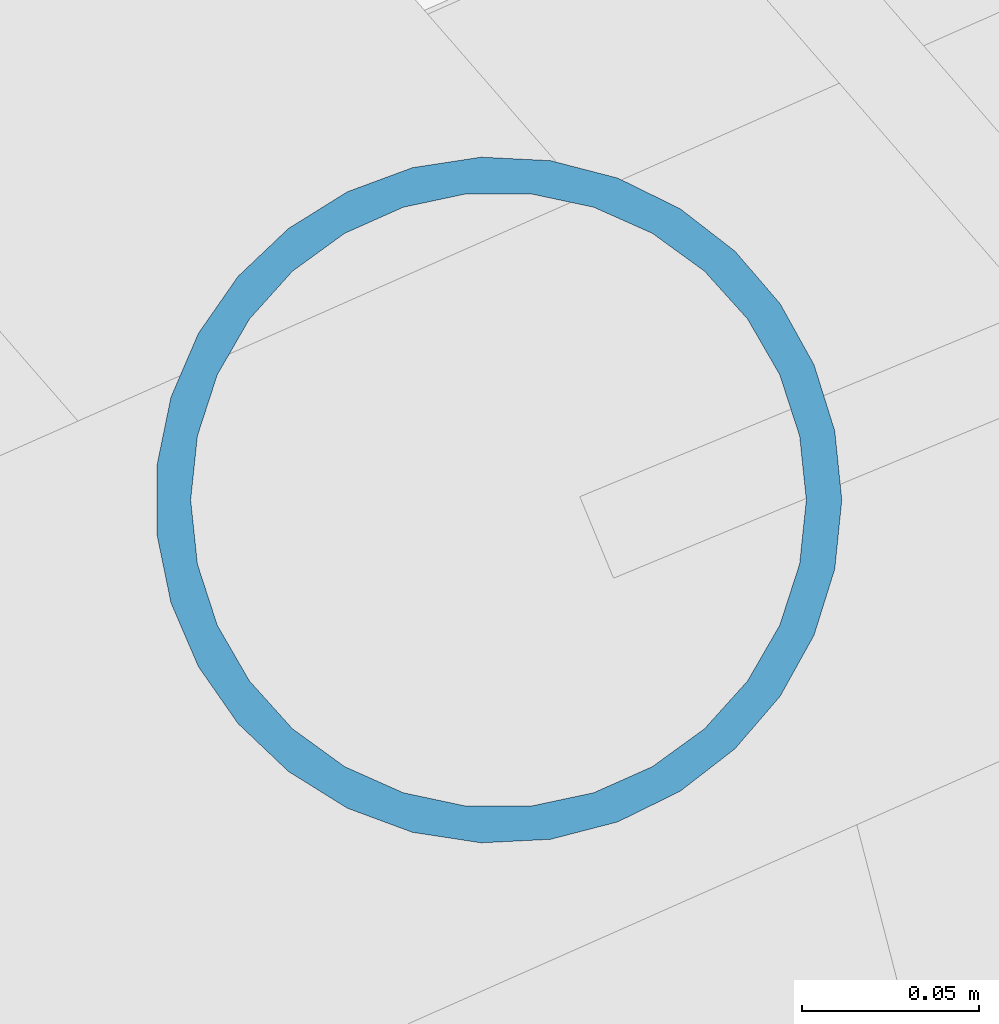
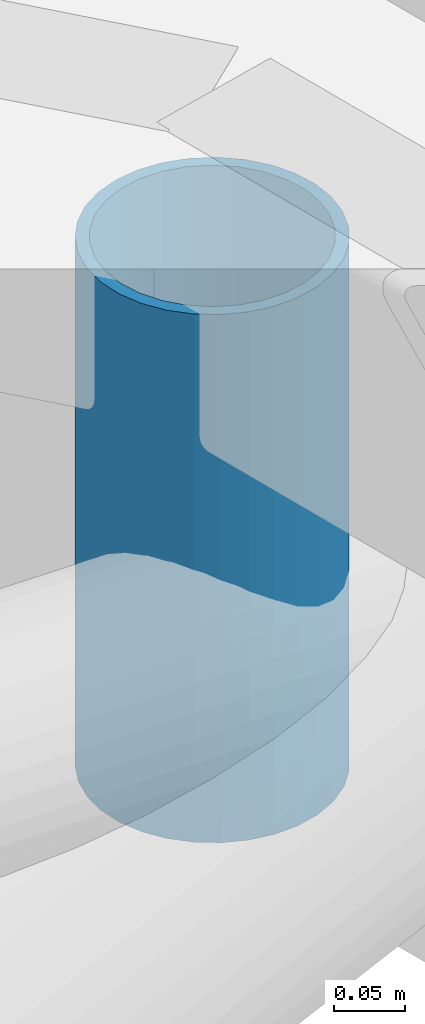
# One storey, part 99 of 134: 1 member.
"""IFC4 building model written with IfcOpenShell, lengths in metres."""

from ifc_helpers import new_model, si_unit, derived_unit, direction, frame, origin, origin_2d, place, context, subcontext, project, spatial, hollow_circle, extrude, material, material_profile, profile_set, type_object, element, save


model = new_model("IFC4")

# Units and contexts
model_context = context("Model", 3, precision=1e-05, world=origin(), true_north=direction((0.0, 1.0)))
body_context = subcontext(model_context, "Body", "Model", "MODEL_VIEW")
ifc_project = project(units=[si_unit("LENGTHUNIT", "METRE"), si_unit("AREAUNIT", "SQUARE_METRE"), si_unit("VOLUMEUNIT", "CUBIC_METRE"), si_unit("PLANEANGLEUNIT", "RADIAN"), si_unit("MASSUNIT", "GRAM", prefix="KILO"), derived_unit("THERMALTRANSMITTANCEUNIT", [(si_unit("MASSUNIT", "GRAM", prefix="KILO"), 1), (si_unit("TIMEUNIT", "SECOND"), -3), (si_unit("THERMODYNAMICTEMPERATUREUNIT", "KELVIN"), -1)])], contexts=[model_context])

# Site, building, storey
site_placement = place(None, origin())
site = spatial("IfcSite", under=ifc_project, at=site_placement, CompositionType="ELEMENT")
building_placement = place(site_placement, origin())
building = spatial("IfcBuilding", under=site, at=building_placement, Name="Kharveza Railside Sports Centre", CompositionType="ELEMENT")
storey_placement = place(building_placement, frame((0.0, 0.0, 12.89990234375)))
storey = spatial("IfcBuildingStorey", under=building, at=storey_placement, Name="L03", CompositionType="ELEMENT", Elevation=12.89990234375)

# Member
ifc_material = material(Name="Steel S355J2", Category="steel")
ifc_material_profile = material_profile(ifc_material, hollow_circle(Radius=0.096923828125, WallThickness=0.010009765625, at=origin_2d()), Name="CHS 193.7x10.0")
ifc_profile_set = profile_set([ifc_material_profile], Name="Steel S355J2")
member_type = type_object("IfcMemberType", Name="MB-ST02", PredefinedType="STRUT", material=ifc_profile_set)
member_placement = place(storey_placement, frame((99.38037109375, 64.646240234375, -0.0498046875), z_axis=(0.0, 0.0, 1.0), x_axis=(1.0, 0.0, 0.0)))
element("IfcMember", 1, at=member_placement, inside=storey, type_object=member_type, Name="MB-LIDPOST-S1-02", PredefinedType="STRUT", context=body_context, shape_type="SweptSolid", body=[
    extrude(hollow_circle(Radius=0.096923828125, WallThickness=0.010009765625, at=origin_2d()), origin(), (0.0, 0.0, 1.0), 0.454833984375),
])

save(model, "model.ifc")
